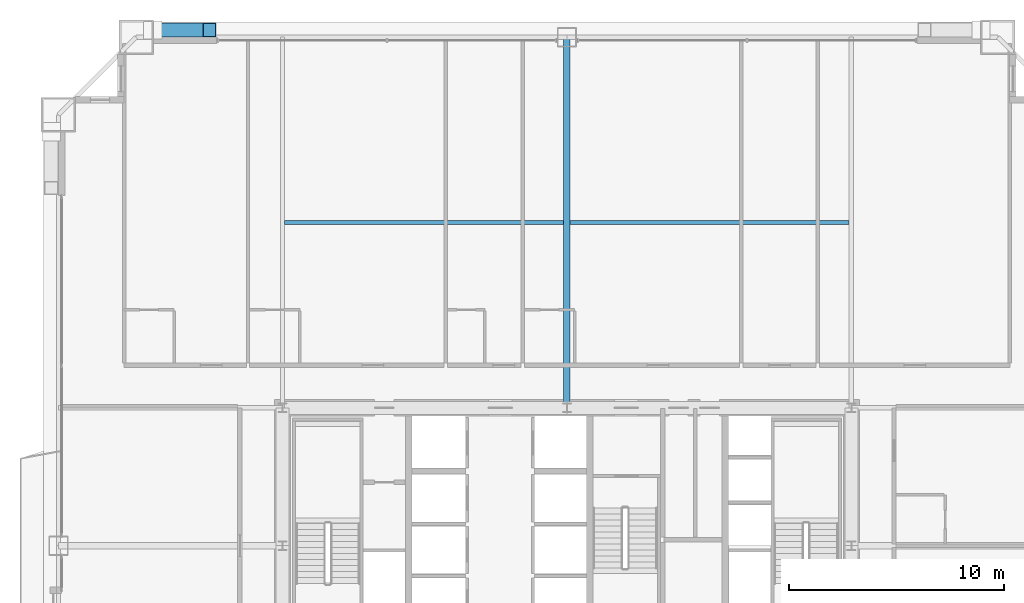
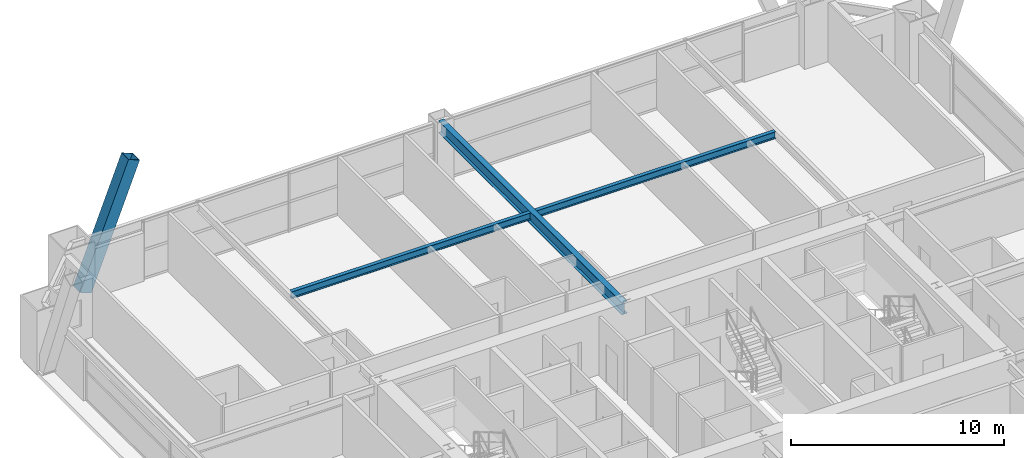
# One storey, part 24 of 41: 3 beams, 1 member.
"""IFC4 building model written with IfcOpenShell, lengths in metres."""

from ifc_helpers import new_model, si_unit, direction, frame, origin, origin_2d, place, context, subcontext, project, spatial, hollow_rectangle, i_section, extrude, source, transform, mapped, material, material_profile, profile_set, type_object, element, save


model = new_model("IFC4")

# Units and contexts
model_context = context("Model", 3, precision=1e-05, world=origin(), true_north=direction((0.0, 1.0)))
body_context = subcontext(model_context, "Body", "Model", "MODEL_VIEW")
ifc_project = project(units=[si_unit("LENGTHUNIT", "METRE"), si_unit("AREAUNIT", "SQUARE_METRE"), si_unit("VOLUMEUNIT", "CUBIC_METRE"), si_unit("PLANEANGLEUNIT", "RADIAN"), si_unit("MASSUNIT", "GRAM", prefix="KILO"), si_unit("THERMODYNAMICTEMPERATUREUNIT", "KELVIN"), si_unit("POWERUNIT", "WATT")], contexts=[model_context])

# Site, building, storey
site_placement = place(None, origin())
site = spatial("IfcSite", under=ifc_project, at=site_placement, CompositionType="ELEMENT")
building_placement = place(site_placement, origin())
building = spatial("IfcBuilding", under=site, at=building_placement, Name="Yuzanri Waterfront Tower", CompositionType="ELEMENT")
storey_placement = place(building_placement, frame((0.0, 0.0, 115.39990234375)))
storey = spatial("IfcBuildingStorey", under=building, at=storey_placement, Name="L30", CompositionType="ELEMENT", Elevation=115.39990234375)

# Beams
ifc_material_1 = material(Name="Steel Q355B", Category="steel")
ifc_material_profile_1 = material_profile(ifc_material_1, i_section(OverallWidth=0.199951171875, OverallDepth=0.39990234375, WebThickness=0.008056640625, FlangeThickness=0.012939453125, at=origin_2d()), Name="HN 400x200x8x13")
ifc_profile_set_1 = profile_set([ifc_material_profile_1], Name="Steel Q355B")
beam_type_1 = type_object("IfcBeamType", Name="Floor Joist Q355B HN 400x200", PredefinedType="JOIST", material=ifc_profile_set_1)
shared_shape_1 = source(origin(), body_context, "Body", "SweptSolid", [
    extrude(i_section(OverallWidth=0.199951171875, OverallDepth=0.39990234375, WebThickness=0.008056640625, FlangeThickness=0.012939453125, at=origin_2d()), origin(), (0.0, 0.0, 1.0), 12.9501953125),
])
for number, where, z_axis, x_axis, name in (
    (1, (23.89990234375, 40.800048828125, 3.18017578125), (1.0, 0.0, 0.0), (0.0, 1.0, 0.0), "L30 North Bay Joist W"),
    (2, (37.14990234375, 40.800048828125, 3.18017578125), (1.0, 0.0, 0.0), (0.0, 1.0, 0.0), "L30 North Bay Joist E"),
):
    element("IfcBeam", number, at=place(storey_placement, frame(where, z_axis=z_axis, x_axis=x_axis)), inside=storey, type_object=beam_type_1, Name=name, PredefinedType="JOIST", context=body_context, shape_type="MappedRepresentation", body=[
        mapped(shared_shape_1, transform((0.0, 0.0, 0.0), scale=1.0)),
    ])
ifc_material_2 = material(Name="Steel Q355B", Category="steel")
ifc_material_profile_2 = material_profile(ifc_material_2, i_section(OverallWidth=0.300048828125, OverallDepth=0.699951171875, WebThickness=0.012939453125, FlangeThickness=0.02392578125, at=origin_2d()), Name="HN 700x300x13x24")
ifc_profile_set_2 = profile_set([ifc_material_profile_2], Name="Steel Q355B")
beam_type_2 = type_object("IfcBeamType", Name="Primary Floor Girder Q355B HN 700x300", PredefinedType="BEAM", material=ifc_profile_set_2)
shared_shape_2 = source(origin(), body_context, "Body", "SweptSolid", [
    extrude(i_section(OverallWidth=0.300048828125, OverallDepth=0.699951171875, WebThickness=0.012939453125, FlangeThickness=0.02392578125, at=origin_2d()), origin(), (0.0, 0.0, 1.0), 17.199951171875),
])
beam_placement = place(storey_placement, frame((37.0, 32.199951171875, 3.030029296875), z_axis=(0.0, 1.0, 0.0), x_axis=(-1.0, 0.0, 0.0)))
element("IfcBeam", 3, at=beam_placement, inside=storey, type_object=beam_type_2, Name="L30 North Grid Girder", PredefinedType="BEAM", context=body_context, shape_type="MappedRepresentation", body=[
    mapped(shared_shape_2, transform((0.0, 0.0, 0.0), scale=1.0)),
])

# Member
ifc_material_3 = material(Name="Steel Q420GJC", Category="steel")
ifc_material_profile_3 = material_profile(ifc_material_3, hollow_rectangle(XDim=0.64990234375, YDim=0.64990234375, WallThickness=0.028076171875, at=origin_2d()), Name="RHS 650x650x28")
ifc_profile_set_3 = profile_set([ifc_material_profile_3], Name="Steel Q420GJC")
member_type = type_object("IfcMemberType", Name="Mega Brace Lower Q420GJC RHS 650x650x28", PredefinedType="BRACE", material=ifc_profile_set_3)
shared_shape_3 = source(origin(), body_context, "Body", "SweptSolid", [
    extrude(hollow_rectangle(XDim=0.64990234375, YDim=0.64990234375, WallThickness=0.028076171875, at=origin_2d()), origin(), (0.0, 0.0, 1.0), 7.19384765625),
])
member_placement = place(storey_placement, frame((17.780029296875, 49.739990234375, 0.18017578125), z_axis=(0.36417668996, 0.0, 0.9313298763), x_axis=(0.0, 1.0, 0.0)))
element("IfcMember", 4, at=member_placement, inside=storey, type_object=member_type, Name="L30-L31 Perimeter Mega-Brace N-L", PredefinedType="BRACE", context=body_context, shape_type="MappedRepresentation", body=[
    mapped(shared_shape_3, transform((0.0, 0.0, 0.0), scale=1.0)),
])

save(model, "model.ifc")
